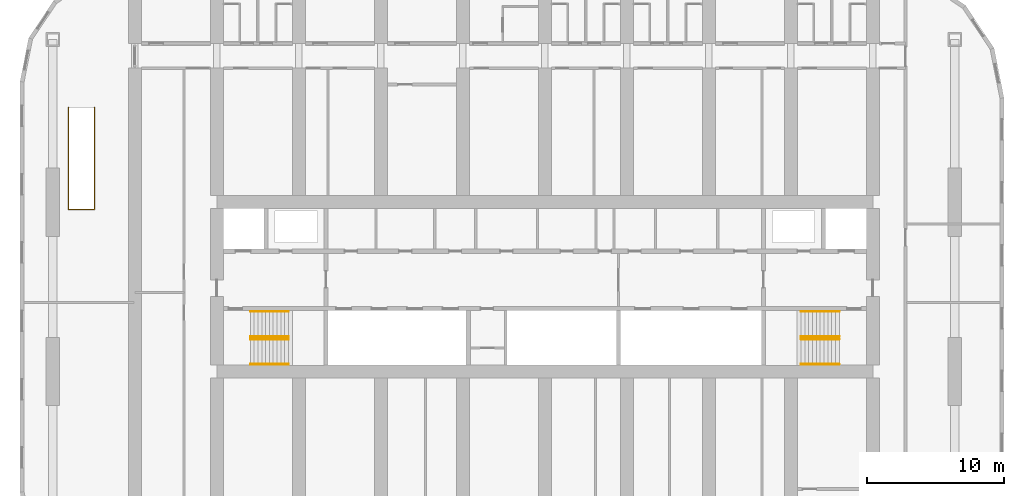
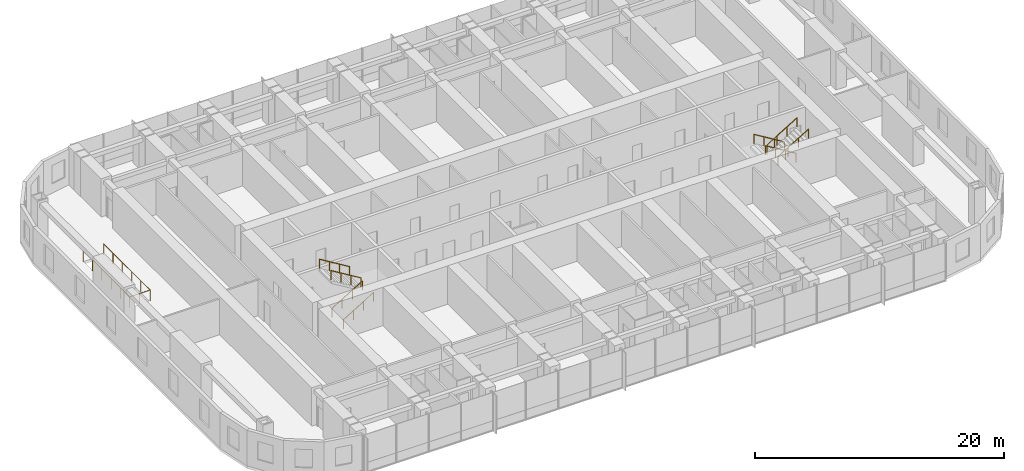
# One storey, part 21 of 21: 9 railings.
"""IFC4 building model written with IfcOpenShell, lengths in metres."""

from ifc_helpers import new_model, si_unit, direction, frame, origin, origin_2d, place, context, subcontext, project, spatial, circle, extrude, material, type_object, element, save


model = new_model("IFC4")

# Units and contexts
model_context = context("Model", 3, precision=1e-05, world=origin(), true_north=direction((0.0, 1.0)))
body_context = subcontext(model_context, "Body", "Model", "MODEL_VIEW")
ifc_project = project(units=[si_unit("LENGTHUNIT", "METRE"), si_unit("AREAUNIT", "SQUARE_METRE"), si_unit("VOLUMEUNIT", "CUBIC_METRE"), si_unit("PLANEANGLEUNIT", "RADIAN"), si_unit("MASSUNIT", "GRAM", prefix="KILO")], contexts=[model_context])

# Site, building, storey
site_placement = place(None, origin())
site = spatial("IfcSite", under=ifc_project, at=site_placement, CompositionType="ELEMENT")
building_placement = place(site_placement, origin())
building = spatial("IfcBuilding", under=site, at=building_placement, Name="Orbita Commons", CompositionType="ELEMENT")
storey_placement = place(building_placement, frame((0.0, 0.0, 103.14990234375)))
storey = spatial("IfcBuildingStorey", under=building, at=storey_placement, Name="L25", CompositionType="ELEMENT", Elevation=103.14990234375)

# Railings
ifc_material_1 = material(Name="Steel tube, painted", Category="steel")
railing_type_1 = type_object("IfcRailingType", Name="Stair handrail steel tube 900", PredefinedType="HANDRAIL", material=ifc_material_1)
for number, where, name in (
    (1, (20.449951171875, 28.1650390625, 0.170654296875), "Stair S1 handrail L25 flight 1"),
    (2, (20.449951171875, 26.3349609375, 0.170654296875), "Stair S1 handrail L25 flight 1"),
):
    element("IfcRailing", number, at=place(storey_placement, frame(where)), inside=storey, type_object=railing_type_1, Name=name, PredefinedType="HANDRAIL", context=body_context, shape_type="SweptSolid", body=[
        extrude(circle(Radius=0.02099609375, at=origin_2d()), frame((0.0, 0.0, 0.87890625), z_axis=(0.854202870247, 0.0, 0.519939858505), x_axis=(0.0, 1.0, 0.0)), (0.0, 0.0, 1.0), 3.278076171875),
        extrude(circle(Radius=0.02001953125, at=origin_2d()), origin(), (0.0, 0.0, 1.0), 0.85791015625),
        extrude(circle(Radius=0.02001953125, at=origin_2d()), frame((0.933349609375, 0.0, 0.568115234375)), (0.0, 0.0, 1.0), 0.85791015625),
        extrude(circle(Radius=0.02001953125, at=origin_2d()), frame((1.86669921875, 0.0, 1.13623046875)), (0.0, 0.0, 1.0), 0.85791015625),
        extrude(circle(Radius=0.02001953125, at=origin_2d()), frame((2.800048828125, 0.0, 1.704345703125)), (0.0, 0.0, 1.0), 0.85791015625),
    ])
for number, where, name in (
    (3, (23.25, 28.360107421875, 2.045654296875), "Stair S1 handrail L25 flight 2"),
    (4, (23.25, 30.18994140625, 2.045654296875), "Stair S1 handrail L25 flight 2"),
    (5, (63.550048828125, 28.360107421875, 0.170654296875), "Stair S2 handrail L25 flight 1"),
    (6, (63.550048828125, 30.18994140625, 0.170654296875), "Stair S2 handrail L25 flight 1"),
):
    element("IfcRailing", number, at=place(storey_placement, frame(where)), inside=storey, type_object=railing_type_1, Name=name, PredefinedType="HANDRAIL", context=body_context, shape_type="SweptSolid", body=[
        extrude(circle(Radius=0.02099609375, at=origin_2d()), frame((0.0, 0.0, 0.87890625), z_axis=(-0.854202870247, 0.0, 0.519939858505), x_axis=(0.0, -1.0, 0.0)), (0.0, 0.0, 1.0), 3.278076171875),
        extrude(circle(Radius=0.02001953125, at=origin_2d()), origin(), (0.0, 0.0, 1.0), 0.85791015625),
        extrude(circle(Radius=0.02001953125, at=origin_2d()), frame((-0.933349609375, 0.0, 0.568115234375)), (0.0, 0.0, 1.0), 0.85791015625),
        extrude(circle(Radius=0.02001953125, at=origin_2d()), frame((-1.86669921875, 0.0, 1.13623046875)), (0.0, 0.0, 1.0), 0.85791015625),
        extrude(circle(Radius=0.02001953125, at=origin_2d()), frame((-2.800048828125, 0.0, 1.704345703125)), (0.0, 0.0, 1.0), 0.85791015625),
    ])
for number, where, name in (
    (7, (60.75, 28.1650390625, 2.045654296875), "Stair S2 handrail L25 flight 2"),
    (8, (60.75, 26.3349609375, 2.045654296875), "Stair S2 handrail L25 flight 2"),
):
    element("IfcRailing", number, at=place(storey_placement, frame(where)), inside=storey, type_object=railing_type_1, Name=name, PredefinedType="HANDRAIL", context=body_context, shape_type="SweptSolid", body=[
        extrude(circle(Radius=0.02099609375, at=origin_2d()), frame((0.0, 0.0, 0.87890625), z_axis=(0.854202870247, 0.0, 0.519939858505), x_axis=(0.0, 1.0, 0.0)), (0.0, 0.0, 1.0), 3.278076171875),
        extrude(circle(Radius=0.02001953125, at=origin_2d()), origin(), (0.0, 0.0, 1.0), 0.85791015625),
        extrude(circle(Radius=0.02001953125, at=origin_2d()), frame((0.933349609375, 0.0, 0.568115234375)), (0.0, 0.0, 1.0), 0.85791015625),
        extrude(circle(Radius=0.02001953125, at=origin_2d()), frame((1.86669921875, 0.0, 1.13623046875)), (0.0, 0.0, 1.0), 0.85791015625),
        extrude(circle(Radius=0.02001953125, at=origin_2d()), frame((2.800048828125, 0.0, 1.704345703125)), (0.0, 0.0, 1.0), 0.85791015625),
    ])
ifc_material_2 = material(Name="Laminated glass on steel posts", Category="steel")
railing_type_2 = type_object("IfcRailingType", Name="Void guard, glass on steel posts 1100", PredefinedType="GUARDRAIL", material=ifc_material_2)
railing_placement = place(storey_placement, frame((7.14990234375, 45.10009765625, 0.0)))
element("IfcRailing", 9, at=railing_placement, inside=storey, type_object=railing_type_2, Name="Void guard L25", PredefinedType="GUARDRAIL", context=body_context, shape_type="SweptSolid", body=[
    extrude(circle(Radius=0.02490234375, at=origin_2d()), frame((0.0, 0.0, 1.0751953125), z_axis=(0.0, -1.0, 0.0), x_axis=(1.0, 0.0, 0.0)), (0.0, 0.0, 1.0), 7.4501953125),
    extrude(circle(Radius=0.02490234375, at=origin_2d()), frame((0.0, -7.4501953125, 1.0751953125), z_axis=(1.0, 0.0, 0.0), x_axis=(0.0, 1.0, 0.0)), (0.0, 0.0, 1.0), 1.900146484375),
    extrude(circle(Radius=0.02490234375, at=origin_2d()), frame((1.900146484375, -7.4501953125, 1.0751953125), z_axis=(0.0, 1.0, 0.0), x_axis=(-1.0, 0.0, 0.0)), (0.0, 0.0, 1.0), 7.4501953125),
    extrude(circle(Radius=0.02490234375, at=origin_2d()), origin(), (0.0, 0.0, 1.0), 1.050048828125),
    extrude(circle(Radius=0.02490234375, at=origin_2d()), frame((0.0, -1.489990234375, 0.0)), (0.0, 0.0, 1.0), 1.050048828125),
    extrude(circle(Radius=0.02490234375, at=origin_2d()), frame((0.0, -2.97998046875, 0.0)), (0.0, 0.0, 1.0), 1.050048828125),
    extrude(circle(Radius=0.02490234375, at=origin_2d()), frame((0.0, -4.47021484375, 0.0)), (0.0, 0.0, 1.0), 1.050048828125),
    extrude(circle(Radius=0.02490234375, at=origin_2d()), frame((0.0, -5.960205078125, 0.0)), (0.0, 0.0, 1.0), 1.050048828125),
    extrude(circle(Radius=0.02490234375, at=origin_2d()), frame((0.0, -7.4501953125, 0.0)), (0.0, 0.0, 1.0), 1.050048828125),
    extrude(circle(Radius=0.02490234375, at=origin_2d()), frame((0.9501953125, -7.4501953125, 0.0)), (0.0, 0.0, 1.0), 1.050048828125),
    extrude(circle(Radius=0.02490234375, at=origin_2d()), frame((1.900146484375, -7.4501953125, 0.0)), (0.0, 0.0, 1.0), 1.050048828125),
    extrude(circle(Radius=0.02490234375, at=origin_2d()), frame((1.900146484375, -5.960205078125, 0.0)), (0.0, 0.0, 1.0), 1.050048828125),
    extrude(circle(Radius=0.02490234375, at=origin_2d()), frame((1.900146484375, -4.47021484375, 0.0)), (0.0, 0.0, 1.0), 1.050048828125),
    extrude(circle(Radius=0.02490234375, at=origin_2d()), frame((1.900146484375, -2.97998046875, 0.0)), (0.0, 0.0, 1.0), 1.050048828125),
    extrude(circle(Radius=0.02490234375, at=origin_2d()), frame((1.900146484375, -1.489990234375, 0.0)), (0.0, 0.0, 1.0), 1.050048828125),
    extrude(circle(Radius=0.02490234375, at=origin_2d()), frame((1.900146484375, 0.0, 0.0)), (0.0, 0.0, 1.0), 1.050048828125),
])

save(model, "model.ifc")
